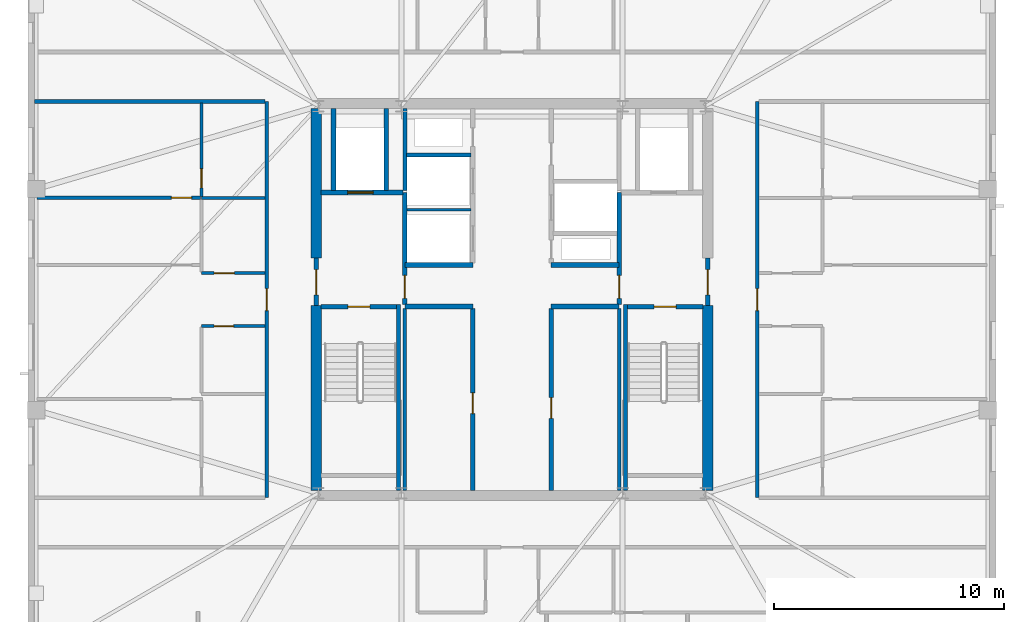
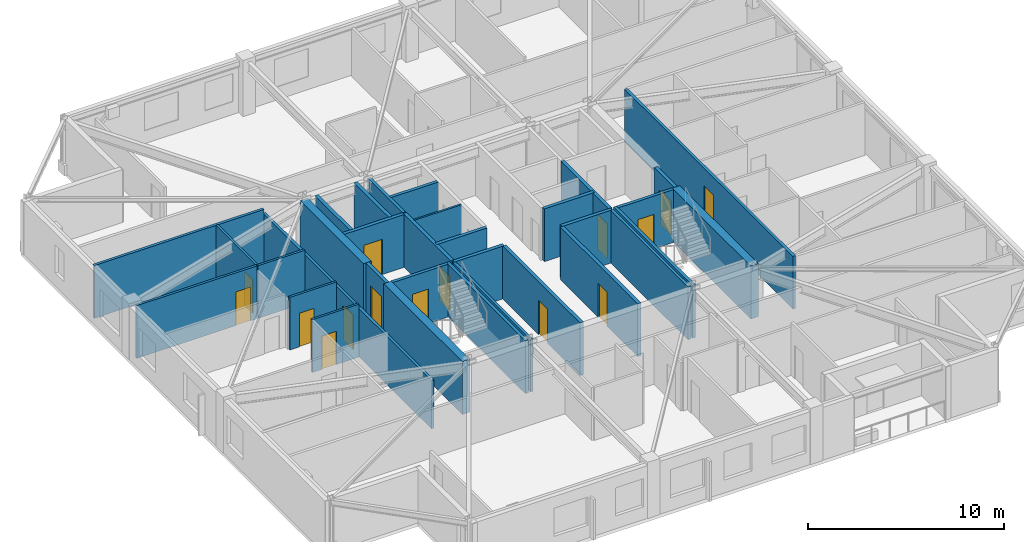
# One storey, part 8 of 15: 33 walls, 15 doors, 15 openings.
"""IFC4 building model written with IfcOpenShell, lengths in metres."""

from ifc_helpers import new_model, si_unit, direction, frame, frame_2d, origin, place, context, subcontext, project, spatial, rectangle, extrude, material, layer, layer_set, type_object, element, fill, save


model = new_model("IFC4")

# Units and contexts
model_context = context("Model", 3, precision=1e-05, world=origin(), true_north=direction((0.0, 1.0)))
body_context = subcontext(model_context, "Body", "Model", "MODEL_VIEW")
ifc_project = project(units=[si_unit("LENGTHUNIT", "METRE"), si_unit("AREAUNIT", "SQUARE_METRE"), si_unit("VOLUMEUNIT", "CUBIC_METRE"), si_unit("PLANEANGLEUNIT", "RADIAN"), si_unit("MASSUNIT", "GRAM", prefix="KILO")], contexts=[model_context])

# Site, building, storey
site_placement = place(None, origin())
site = spatial("IfcSite", under=ifc_project, at=site_placement, CompositionType="ELEMENT")
building_placement = place(site_placement, origin())
building = spatial("IfcBuilding", under=site, at=building_placement, Name="Cairnveth Concourse Tower", CompositionType="ELEMENT")
storey_placement = place(building_placement, frame((0.0, 0.0, 287.5)))
storey = spatial("IfcBuildingStorey", under=building, at=storey_placement, Name="L79", CompositionType="ELEMENT", Elevation=287.5)

# Walls
ifc_material_1 = material(Name="Gypsum Plasterboard Partition", Category="gypsum")
ifc_layer_1 = layer(ifc_material_1, 0.159912109375)
ifc_layer_set_1 = layer_set([ifc_layer_1], Name="Gypsum Plasterboard Partition")
wall_type_1 = type_object("IfcWallType", Name="ACOUSTIC PARTY WALL 180", PredefinedType="PARTITIONING", material=ifc_layer_set_1)
for number, where, z_axis, x_axis, name in (
    (1, (47.35009765625, 30.7099609375, 0.0), (0.0, 0.0, 1.0), (0.0, 1.0, 0.0), "Interior Wall IW-L79-025"),
    (2, (56.64990234375, 30.7099609375, 0.0), (0.0, 0.0, 1.0), (0.0, 1.0, 0.0), "Interior Wall IW-L79-026"),
):
    element("IfcWall", number, at=place(storey_placement, frame(where, z_axis=z_axis, x_axis=x_axis)), inside=storey, type_object=wall_type_1, Name=name, PredefinedType="PARTITIONING", context=body_context, shape_type="SweptSolid", body=[
        extrude(rectangle(XDim=7.905029296875, YDim=0.159912109375, at=frame_2d((3.95263671875, 0.0))), origin(), (0.0, 0.0, 1.0), 3.2900390625),
    ])

# Wall, opening, door
wall_1_placement = place(storey_placement, frame((41.35009765625, 30.39990234375, 0.0), z_axis=(0.0, 0.0, 1.0), x_axis=(0.0, 1.0, 0.0)))
wall_1 = element("IfcWall", 3, at=wall_1_placement, inside=storey, type_object=wall_type_1, Name="Interior Wall IW-L79-035", PredefinedType="PARTITIONING", context=body_context, shape_type="SweptSolid", body=[
    extrude(rectangle(XDim=17.2001953125, YDim=0.159912109375, at=frame_2d((8.60009765625, 0.0))), origin(), (0.0, 0.0, 1.0), 3.009033203125),
])
opening_1_placement = place(wall_1_placement, frame((8.1201171875, 0.0, 0.0)))
opening_1 = element("IfcOpeningElement", 4, at=opening_1_placement, cuts=wall_1, Name="Opening ID10", PredefinedType="OPENING", context=body_context, shape_type="SweptSolid", body=[
    extrude(rectangle(XDim=0.9599609375, YDim=2.179931640625, at=frame_2d((0.47998046875, 1.08984375))), frame((0.0, 0.08984375, 0.0), z_axis=(0.0, -1.0, 0.0), x_axis=(1.0, 0.0, 0.0)), (0.0, 0.0, 1.0), 0.179931640625),
])
ifc_material_2 = material(Name="Solid Core Hardwood Timber Leaf", Category="wood")
door_type_1 = type_object("IfcDoorType", Name="FLAT ENTRANCE DOOR 960X2150", OperationType="NOTDEFINED", PredefinedType="DOOR", material=ifc_material_2)
door_1_placement = place(opening_1_placement, origin())
door_1 = element("IfcDoor", 5, at=door_1_placement, inside=storey, type_object=door_type_1, Name="Penthouse L79PW1 Entrance Door", OperationType="SINGLE_SWING_RIGHT", OverallHeight=2.179931640625, OverallWidth=0.9599609375, PredefinedType="DOOR", context=body_context, shape_type="SweptSolid", body=[
    extrude(rectangle(XDim=0.9599609375, YDim=2.179931640625, at=frame_2d((0.47998046875, 1.08984375))), frame((0.0, 0.02490234375, 0.0), z_axis=(0.0, -1.0, 0.0), x_axis=(1.0, 0.0, 0.0)), (0.0, 0.0, 1.0), 0.050048828125),
])
fill(opening_1, door_1)

wall_2_placement = place(storey_placement, frame((62.64990234375, 30.39990234375, 0.0), z_axis=(0.0, 0.0, 1.0), x_axis=(0.0, 1.0, 0.0)))
wall_2 = element("IfcWall", 6, at=wall_2_placement, inside=storey, type_object=wall_type_1, Name="Interior Wall IW-L79-036", PredefinedType="PARTITIONING", context=body_context, shape_type="SweptSolid", body=[
    extrude(rectangle(XDim=17.2001953125, YDim=0.159912109375, at=frame_2d((8.60009765625, 0.0))), origin(), (0.0, 0.0, 1.0), 3.2900390625),
])
opening_2_placement = place(wall_2_placement, frame((8.1201171875, 0.0, 0.0)))
opening_2 = element("IfcOpeningElement", 7, at=opening_2_placement, cuts=wall_2, Name="Opening ID10", PredefinedType="OPENING", context=body_context, shape_type="SweptSolid", body=[
    extrude(rectangle(XDim=0.9599609375, YDim=2.179931640625, at=frame_2d((0.47998046875, 1.08984375))), frame((0.0, 0.08984375, 0.0), z_axis=(0.0, -1.0, 0.0), x_axis=(1.0, 0.0, 0.0)), (0.0, 0.0, 1.0), 0.179931640625),
])
door_2_placement = place(opening_2_placement, origin())
door_2 = element("IfcDoor", 8, at=door_2_placement, inside=storey, type_object=door_type_1, Name="Penthouse L79PE1 Entrance Door", OperationType="SINGLE_SWING_RIGHT", OverallHeight=2.179931640625, OverallWidth=0.9599609375, PredefinedType="DOOR", context=body_context, shape_type="SweptSolid", body=[
    extrude(rectangle(XDim=0.9599609375, YDim=2.179931640625, at=frame_2d((0.47998046875, 1.08984375))), frame((0.0, 0.02490234375, 0.0), z_axis=(0.0, -1.0, 0.0), x_axis=(1.0, 0.0, 0.0)), (0.0, 0.0, 1.0), 0.050048828125),
])
fill(opening_2, door_2)

# Walls
wall_3_placement = place(storey_placement, frame((31.284912109375, 47.60009765625, 0.0), z_axis=(0.0, 0.0, 1.0), x_axis=(1.0, 0.0, 0.0)))
element("IfcWall", 9, at=wall_3_placement, inside=storey, type_object=wall_type_1, Name="Interior Wall IW-L79-038", PredefinedType="PARTITIONING", context=body_context, shape_type="SweptSolid", body=[
    extrude(rectangle(XDim=10.0, YDim=0.159912109375, at=frame_2d((5.0, 0.0))), origin(), (0.0, 0.0, 1.0), 3.2900390625),
])
ifc_material_3 = material(Name="Concrete N65 (65 MPa)", Category="concrete")
ifc_layer_2 = layer(ifc_material_3, 0.449951171875)
ifc_layer_set_2 = layer_set([ifc_layer_2], Name="Concrete N65 (65 MPa)")
wall_type_2 = type_object("IfcWallType", Name="CORE SHEAR WALL 450", PredefinedType="SHEAR", material=ifc_layer_set_2)
wall_4_placement = place(storey_placement, frame((43.5, 30.715087890625, 0.0), z_axis=(0.0, 0.0, 1.0), x_axis=(0.0, 1.0, 0.0)))
element("IfcWall", 10, at=wall_4_placement, inside=storey, type_object=wall_type_2, Name="Core West Shear Wall S L79", PredefinedType="SHEAR", context=body_context, shape_type="SweptSolid", body=[
    extrude(rectangle(XDim=8.034912109375, YDim=0.449951171875, at=frame_2d((4.017578125, 0.0))), origin(), (0.0, 0.0, 1.0), 3.2900390625),
])
wall_5_placement = place(storey_placement, frame((43.5, 40.800048828125, 0.0), z_axis=(0.0, 0.0, 1.0), x_axis=(0.0, 1.0, 0.0)))
element("IfcWall", 11, at=wall_5_placement, inside=storey, type_object=wall_type_2, Name="Core West Shear Wall N L79", PredefinedType="SHEAR", context=body_context, shape_type="SweptSolid", body=[
    extrude(rectangle(XDim=6.48486328125, YDim=0.449951171875, at=frame_2d((3.242431640625, 0.0))), origin(), (0.0, 0.0, 1.0), 3.2900390625),
])
wall_6_placement = place(storey_placement, frame((60.5, 30.715087890625, 0.0), z_axis=(0.0, 0.0, 1.0), x_axis=(0.0, 1.0, 0.0)))
element("IfcWall", 12, at=wall_6_placement, inside=storey, type_object=wall_type_2, Name="Core East Shear Wall S L79", PredefinedType="SHEAR", context=body_context, shape_type="SweptSolid", body=[
    extrude(rectangle(XDim=8.034912109375, YDim=0.449951171875, at=frame_2d((4.017578125, 0.0))), origin(), (0.0, 0.0, 1.0), 3.2900390625),
])
ifc_material_4 = material(Name="Concrete N50 (50 MPa)", Category="concrete")
ifc_layer_3 = layer(ifc_material_4, 0.179931640625)
ifc_layer_set_3 = layer_set([ifc_layer_3], Name="Concrete N50 (50 MPa)")
wall_type_3 = type_object("IfcWallType", Name="FIRE SHAFT WALL 180", PredefinedType="SOLIDWALL", material=ifc_layer_set_3)
wall_7_placement = place(storey_placement, frame((47.35009765625, 43.735107421875, 0.0), z_axis=(0.0, 0.0, 1.0), x_axis=(0.0, 1.0, 0.0)))
element("IfcWall", 13, at=wall_7_placement, inside=storey, type_object=wall_type_3, Name="Interior Wall IW-L79-027", PredefinedType="SOLIDWALL", context=body_context, shape_type="SweptSolid", body=[
    extrude(rectangle(XDim=3.554931640625, YDim=0.179931640625, at=frame_2d((1.77734375, 0.0))), origin(), (0.0, 0.0, 1.0), 3.2900390625),
])
wall_8_placement = place(storey_placement, frame((47.425048828125, 45.280029296875, 0.0), z_axis=(0.0, 0.0, 1.0), x_axis=(1.0, 0.0, 0.0)))
element("IfcWall", 14, at=wall_8_placement, inside=storey, type_object=wall_type_3, Name="Interior Wall IW-L79-029", PredefinedType="SOLIDWALL", context=body_context, shape_type="SweptSolid", body=[
    extrude(rectangle(XDim=2.7900390625, YDim=0.179931640625, at=frame_2d((1.39501953125, 0.0))), origin(), (0.0, 0.0, 1.0), 3.2900390625),
])

# Wall, opening, door
wall_9_placement = place(storey_placement, frame((43.715087890625, 38.68994140625, 0.0), z_axis=(0.0, 0.0, 1.0), x_axis=(1.0, 0.0, 0.0)))
wall_9 = element("IfcWall", 15, at=wall_9_placement, inside=storey, type_object=wall_type_3, Name="Stair ST-1 Shaft Wall NEAR L79", PredefinedType="SOLIDWALL", context=body_context, shape_type="SweptSolid", body=[
    extrude(rectangle(XDim=3.280029296875, YDim=0.179931640625, at=frame_2d((1.64013671875, 0.0))), origin(), (0.0, 0.0, 1.0), 3.2900390625),
])
opening_3_placement = place(wall_9_placement, frame((1.1650390625, 0.0, 0.0)))
opening_3 = element("IfcOpeningElement", 16, at=opening_3_placement, cuts=wall_9, Name="Opening ID12", PredefinedType="OPENING", context=body_context, shape_type="SweptSolid", body=[
    extrude(rectangle(XDim=0.949951171875, YDim=2.14990234375, at=frame_2d((0.47509765625, 1.074951171875))), frame((0.0, 0.099853515625, 0.0), z_axis=(0.0, -1.0, 0.0), x_axis=(1.0, 0.0, 0.0)), (0.0, 0.0, 1.0), 0.199951171875),
])
ifc_material_5 = material(Name="Steel Grade 350", Category="steel")
door_type_2 = type_object("IfcDoorType", Name="FIRE STAIR DOOR 950X2150", OperationType="NOTDEFINED", PredefinedType="DOOR", material=ifc_material_5)
door_3_placement = place(opening_3_placement, origin())
door_3 = element("IfcDoor", 17, at=door_3_placement, inside=storey, type_object=door_type_2, Name="Stair ST-1 Fire Door L79", OperationType="SINGLE_SWING_LEFT", OverallHeight=2.14990234375, OverallWidth=0.949951171875, PredefinedType="DOOR", context=body_context, shape_type="SweptSolid", body=[
    extrude(rectangle(XDim=0.949951171875, YDim=2.14990234375, at=frame_2d((0.47509765625, 1.074951171875))), frame((0.0, 0.02490234375, 0.0), z_axis=(0.0, -1.0, 0.0), x_axis=(1.0, 0.0, 0.0)), (0.0, 0.0, 1.0), 0.050048828125),
])
fill(opening_3, door_3)

# Wall
wall_10_placement = place(storey_placement, frame((47.070068359375, 38.780029296875, 0.0), z_axis=(0.0, 0.0, 1.0), x_axis=(0.0, -1.0, 0.0)))
element("IfcWall", 18, at=wall_10_placement, inside=storey, type_object=wall_type_3, Name="Stair ST-1 Shaft Wall RGHT L79", PredefinedType="SOLIDWALL", context=body_context, shape_type="SweptSolid", body=[
    extrude(rectangle(XDim=8.067138671875, YDim=0.179931640625, at=frame_2d((4.03369140625, 0.0))), origin(), (0.0, 0.0, 1.0), 3.2900390625),
])

# Wall, opening, door
wall_11_placement = place(storey_placement, frame((57.0048828125, 38.68994140625, 0.0), z_axis=(0.0, 0.0, 1.0), x_axis=(1.0, 0.0, 0.0)))
wall_11 = element("IfcWall", 19, at=wall_11_placement, inside=storey, type_object=wall_type_3, Name="Stair ST-2 Shaft Wall NEAR L79", PredefinedType="SOLIDWALL", context=body_context, shape_type="SweptSolid", body=[
    extrude(rectangle(XDim=3.280029296875, YDim=0.179931640625, at=frame_2d((1.64013671875, 0.0))), origin(), (0.0, 0.0, 1.0), 3.2900390625),
])
opening_4_placement = place(wall_11_placement, frame((1.1650390625, 0.0, 0.0)))
opening_4 = element("IfcOpeningElement", 20, at=opening_4_placement, cuts=wall_11, Name="Opening ID12", PredefinedType="OPENING", context=body_context, shape_type="SweptSolid", body=[
    extrude(rectangle(XDim=0.949951171875, YDim=2.14990234375, at=frame_2d((0.47509765625, 1.074951171875))), frame((0.0, 0.099853515625, 0.0), z_axis=(0.0, -1.0, 0.0), x_axis=(1.0, 0.0, 0.0)), (0.0, 0.0, 1.0), 0.199951171875),
])
door_4_placement = place(opening_4_placement, origin())
door_4 = element("IfcDoor", 21, at=door_4_placement, inside=storey, type_object=door_type_2, Name="Stair ST-2 Fire Door L79", OperationType="SINGLE_SWING_RIGHT", OverallHeight=2.14990234375, OverallWidth=0.949951171875, PredefinedType="DOOR", context=body_context, shape_type="SweptSolid", body=[
    extrude(rectangle(XDim=0.949951171875, YDim=2.14990234375, at=frame_2d((0.47509765625, 1.074951171875))), frame((0.0, 0.02490234375, 0.0), z_axis=(0.0, -1.0, 0.0), x_axis=(1.0, 0.0, 0.0)), (0.0, 0.0, 1.0), 0.050048828125),
])
fill(opening_4, door_4)

# Walls
wall_12_placement = place(storey_placement, frame((56.929931640625, 38.780029296875, 0.0), z_axis=(0.0, 0.0, 1.0), x_axis=(0.0, -1.0, 0.0)))
element("IfcWall", 22, at=wall_12_placement, inside=storey, type_object=wall_type_3, Name="Stair ST-2 Shaft Wall LEFT L79", PredefinedType="SOLIDWALL", context=body_context, shape_type="SweptSolid", body=[
    extrude(rectangle(XDim=8.067138671875, YDim=0.179931640625, at=frame_2d((4.03369140625, 0.0))), origin(), (0.0, 0.0, 1.0), 3.2900390625),
])
ifc_layer_4 = layer(ifc_material_4, 0.199951171875)
ifc_layer_set_4 = layer_set([ifc_layer_4], Name="Concrete N50 (50 MPa)")
wall_type_4 = type_object("IfcWallType", Name="FIRE SHAFT WALL 200", PredefinedType="SOLIDWALL", material=ifc_layer_set_4)
for number, where, z_axis, x_axis, name in (
    (23, (47.35009765625, 38.699951171875, 0.0), (0.0, 0.0, 1.0), (1.0, 0.0, 0.0), "Interior Wall IW-L79-007"),
    (24, (47.35009765625, 40.5, 0.0), (0.0, 0.0, 1.0), (1.0, 0.0, 0.0), "Interior Wall IW-L79-008"),
    (25, (53.699951171875, 38.699951171875, 0.0), (0.0, 0.0, 1.0), (1.0, 0.0, 0.0), "Interior Wall IW-L79-009"),
    (26, (53.699951171875, 40.5, 0.0), (0.0, 0.0, 1.0), (1.0, 0.0, 0.0), "Interior Wall IW-L79-010"),
):
    element("IfcWall", number, at=place(storey_placement, frame(where, z_axis=z_axis, x_axis=x_axis)), inside=storey, type_object=wall_type_4, Name=name, PredefinedType="SOLIDWALL", context=body_context, shape_type="SweptSolid", body=[
        extrude(rectangle(XDim=2.949951171875, YDim=0.199951171875, at=frame_2d((1.47509765625, 0.0))), origin(), (0.0, 0.0, 1.0), 3.2900390625),
    ])

# Wall, opening, door
wall_13_placement = place(storey_placement, frame((50.300048828125, 30.7099609375, 0.0), z_axis=(0.0, 0.0, 1.0), x_axis=(0.0, 1.0, 0.0)))
wall_13 = element("IfcWall", 27, at=wall_13_placement, inside=storey, type_object=wall_type_4, Name="Interior Wall IW-L79-011", PredefinedType="SOLIDWALL", context=body_context, shape_type="SweptSolid", body=[
    extrude(rectangle(XDim=7.905029296875, YDim=0.199951171875, at=frame_2d((3.95263671875, 0.0))), origin(), (0.0, 0.0, 1.0), 3.2900390625),
])
opening_5_placement = place(wall_13_placement, frame((3.340087890625, 0.0, 0.0)))
opening_5 = element("IfcOpeningElement", 28, at=opening_5_placement, cuts=wall_13, Name="Opening ID16", PredefinedType="OPENING", context=body_context, shape_type="SweptSolid", body=[
    extrude(rectangle(XDim=0.89990234375, YDim=2.1201171875, at=frame_2d((0.449951171875, 1.06005859375))), frame((0.0, 0.10986328125, 0.0), z_axis=(0.0, -1.0, 0.0), x_axis=(1.0, 0.0, 0.0)), (0.0, 0.0, 1.0), 0.219970703125),
])
door_type_3 = type_object("IfcDoorType", Name="CORE SERVICE DOOR 900X2100", OperationType="NOTDEFINED", PredefinedType="DOOR", material=ifc_material_5)
door_5_placement = place(opening_5_placement, origin())
door_5 = element("IfcDoor", 29, at=door_5_placement, inside=storey, type_object=door_type_3, Name="Linen Pantry Suite Door L79", OperationType="SINGLE_SWING_LEFT", OverallHeight=2.1201171875, OverallWidth=0.89990234375, PredefinedType="DOOR", context=body_context, shape_type="SweptSolid", body=[
    extrude(rectangle(XDim=0.89990234375, YDim=2.1201171875, at=frame_2d((0.449951171875, 1.06005859375))), frame((0.0, 0.02490234375, 0.0), z_axis=(0.0, -1.0, 0.0), x_axis=(1.0, 0.0, 0.0)), (0.0, 0.0, 1.0), 0.050048828125),
])
fill(opening_5, door_5)

wall_14_placement = place(storey_placement, frame((53.699951171875, 30.7099609375, 0.0), z_axis=(0.0, 0.0, 1.0), x_axis=(0.0, 1.0, 0.0)))
wall_14 = element("IfcWall", 30, at=wall_14_placement, inside=storey, type_object=wall_type_4, Name="Interior Wall IW-L79-012", PredefinedType="SOLIDWALL", context=body_context, shape_type="SweptSolid", body=[
    extrude(rectangle(XDim=7.905029296875, YDim=0.199951171875, at=frame_2d((3.95263671875, 0.0))), origin(), (0.0, 0.0, 1.0), 3.2900390625),
])
opening_6_placement = place(wall_14_placement, frame((3.139892578125, 0.0, 0.0)))
opening_6 = element("IfcOpeningElement", 31, at=opening_6_placement, cuts=wall_14, Name="Opening ID16", PredefinedType="OPENING", context=body_context, shape_type="SweptSolid", body=[
    extrude(rectangle(XDim=0.89990234375, YDim=2.1201171875, at=frame_2d((0.449951171875, 1.06005859375))), frame((0.0, 0.10986328125, 0.0), z_axis=(0.0, -1.0, 0.0), x_axis=(1.0, 0.0, 0.0)), (0.0, 0.0, 1.0), 0.219970703125),
])
door_6_placement = place(opening_6_placement, origin())
door_6 = element("IfcDoor", 32, at=door_6_placement, inside=storey, type_object=door_type_3, Name="Sky Pantry Door L79", OperationType="SINGLE_SWING_RIGHT", OverallHeight=2.1201171875, OverallWidth=0.89990234375, PredefinedType="DOOR", context=body_context, shape_type="SweptSolid", body=[
    extrude(rectangle(XDim=0.89990234375, YDim=2.1201171875, at=frame_2d((0.449951171875, 1.06005859375))), frame((0.0, 0.02490234375, 0.0), z_axis=(0.0, -1.0, 0.0), x_axis=(1.0, 0.0, 0.0)), (0.0, 0.0, 1.0), 0.050048828125),
])
fill(opening_6, door_6)

wall_15_placement = place(storey_placement, frame((43.5, 38.75, 0.0), z_axis=(0.0, 0.0, 1.0), x_axis=(0.0, 1.0, 0.0)))
wall_15 = element("IfcWall", 33, at=wall_15_placement, inside=storey, type_object=wall_type_4, Name="Interior Wall IW-L79-015", PredefinedType="SOLIDWALL", context=body_context, shape_type="SweptSolid", body=[
    extrude(rectangle(XDim=2.050048828125, YDim=0.199951171875, at=frame_2d((1.02490234375, 0.0))), origin(), (0.0, 0.0, 1.0), 3.2900390625),
])
opening_7_placement = place(wall_15_placement, frame((0.449951171875, 0.0, 0.0)))
opening_7 = element("IfcOpeningElement", 34, at=opening_7_placement, cuts=wall_15, Name="Opening ID06", PredefinedType="OPENING", context=body_context, shape_type="SweptSolid", body=[
    extrude(rectangle(XDim=1.10009765625, YDim=2.14990234375, at=frame_2d((0.550048828125, 1.074951171875))), frame((0.0, 0.10986328125, 0.0), z_axis=(0.0, -1.0, 0.0), x_axis=(1.0, 0.0, 0.0)), (0.0, 0.0, 1.0), 0.219970703125),
])
door_type_4 = type_object("IfcDoorType", Name="FIRE CORRIDOR DOOR 1100X2150", OperationType="NOTDEFINED", PredefinedType="DOOR", material=ifc_material_5)
door_7_placement = place(opening_7_placement, origin())
door_7 = element("IfcDoor", 35, at=door_7_placement, inside=storey, type_object=door_type_4, Name="West Wing to FF Lobby Door L79", OperationType="SINGLE_SWING_LEFT", OverallHeight=2.14990234375, OverallWidth=1.10009765625, PredefinedType="DOOR", context=body_context, shape_type="SweptSolid", body=[
    extrude(rectangle(XDim=1.10009765625, YDim=2.14990234375, at=frame_2d((0.550048828125, 1.074951171875))), frame((0.0, 0.02490234375, 0.0), z_axis=(0.0, -1.0, 0.0), x_axis=(1.0, 0.0, 0.0)), (0.0, 0.0, 1.0), 0.050048828125),
])
fill(opening_7, door_7)

wall_16_placement = place(storey_placement, frame((47.35009765625, 38.784912109375, 0.0), z_axis=(0.0, 0.0, 1.0), x_axis=(0.0, 1.0, 0.0)))
wall_16 = element("IfcWall", 36, at=wall_16_placement, inside=storey, type_object=wall_type_4, Name="Interior Wall IW-L79-016", PredefinedType="SOLIDWALL", context=body_context, shape_type="SweptSolid", body=[
    extrude(rectangle(XDim=4.864990234375, YDim=0.199951171875, at=frame_2d((2.4326171875, 0.0))), origin(), (0.0, 0.0, 1.0), 3.2900390625),
])
opening_8_placement = place(wall_16_placement, frame((0.264892578125, 0.0, 0.0)))
opening_8 = element("IfcOpeningElement", 37, at=opening_8_placement, cuts=wall_16, Name="Opening ID07", PredefinedType="OPENING", context=body_context, shape_type="SweptSolid", body=[
    extrude(rectangle(XDim=1.0, YDim=2.14990234375, at=frame_2d((0.5, 1.074951171875))), frame((0.0, 0.10986328125, 0.0), z_axis=(0.0, -1.0, 0.0), x_axis=(1.0, 0.0, 0.0)), (0.0, 0.0, 1.0), 0.219970703125),
])
door_type_5 = type_object("IfcDoorType", Name="FIRE CORRIDOR DOOR 1000X2150", OperationType="NOTDEFINED", PredefinedType="DOOR", material=ifc_material_5)
door_8_placement = place(opening_8_placement, origin())
door_8 = element("IfcDoor", 38, at=door_8_placement, inside=storey, type_object=door_type_5, Name="FF Lobby West to Lift Lobby Door L79", OperationType="SINGLE_SWING_RIGHT", OverallHeight=2.14990234375, OverallWidth=1.0, PredefinedType="DOOR", context=body_context, shape_type="SweptSolid", body=[
    extrude(rectangle(XDim=1.0, YDim=2.14990234375, at=frame_2d((0.5, 1.074951171875))), frame((0.0, 0.02490234375, 0.0), z_axis=(0.0, -1.0, 0.0), x_axis=(1.0, 0.0, 0.0)), (0.0, 0.0, 1.0), 0.050048828125),
])
fill(opening_8, door_8)

wall_17_placement = place(storey_placement, frame((43.7099609375, 43.64990234375, 0.0), z_axis=(0.0, 0.0, 1.0), x_axis=(1.0, 0.0, 0.0)))
wall_17 = element("IfcWall", 39, at=wall_17_placement, inside=storey, type_object=wall_type_4, Name="Interior Wall IW-L79-017", PredefinedType="SOLIDWALL", context=body_context, shape_type="SweptSolid", body=[
    extrude(rectangle(XDim=3.554931640625, YDim=0.199951171875, at=frame_2d((1.77734375, 0.0))), origin(), (0.0, 0.0, 1.0), 3.2900390625),
])
opening_9_placement = place(wall_17_placement, frame((1.159912109375, 0.0, 0.0)))
opening_9 = element("IfcOpeningElement", 40, at=opening_9_placement, cuts=wall_17, Name="Opening LD-1", PredefinedType="OPENING", context=body_context, shape_type="SweptSolid", body=[
    extrude(rectangle(XDim=1.10009765625, YDim=2.199951171875, at=frame_2d((0.550048828125, 1.10009765625))), frame((0.0, 0.10986328125, 0.0), z_axis=(0.0, -1.0, 0.0), x_axis=(1.0, 0.0, 0.0)), (0.0, 0.0, 1.0), 0.219970703125),
])
ifc_material_6 = material(Name="Architectural Bronze Anodised Aluminium 6063-T6", Category="aluminium")
door_type_6 = type_object("IfcDoorType", Name="LIFT LANDING DOOR 1100X2200", OperationType="SLIDING_TO_LEFT", PredefinedType="DOOR", material=ifc_material_6)
door_9_placement = place(opening_9_placement, origin())
door_9 = element("IfcDoor", 41, at=door_9_placement, inside=storey, type_object=door_type_6, Name="Lift FFL1 Landing Door L79", OperationType="SLIDING_TO_LEFT", OverallHeight=2.199951171875, OverallWidth=1.10009765625, PredefinedType="DOOR", context=body_context, shape_type="SweptSolid", body=[
    extrude(rectangle(XDim=1.10009765625, YDim=2.199951171875, at=frame_2d((0.550048828125, 1.10009765625))), frame((0.0, 0.02490234375, 0.0), z_axis=(0.0, -1.0, 0.0), x_axis=(1.0, 0.0, 0.0)), (0.0, 0.0, 1.0), 0.050048828125),
])
fill(opening_9, door_9)

# Walls
for number, where, z_axis, x_axis, name in (
    (42, (46.550048828125, 43.735107421875, 0.0), (0.0, 0.0, 1.0), (0.0, 1.0, 0.0), "Interior Wall IW-L79-018"),
    (43, (44.25, 43.735107421875, 0.0), (0.0, 0.0, 1.0), (0.0, 1.0, 0.0), "Interior Wall IW-L79-019"),
):
    element("IfcWall", number, at=place(storey_placement, frame(where, z_axis=z_axis, x_axis=x_axis)), inside=storey, type_object=wall_type_4, Name=name, PredefinedType="SOLIDWALL", context=body_context, shape_type="SweptSolid", body=[
        extrude(rectangle(XDim=3.554931640625, YDim=0.199951171875, at=frame_2d((1.77734375, 0.0))), origin(), (0.0, 0.0, 1.0), 3.2900390625),
    ])

# Wall, opening, door
wall_18_placement = place(storey_placement, frame((60.5, 38.75, 0.0), z_axis=(0.0, 0.0, 1.0), x_axis=(0.0, 1.0, 0.0)))
wall_18 = element("IfcWall", 44, at=wall_18_placement, inside=storey, type_object=wall_type_4, Name="Interior Wall IW-L79-020", PredefinedType="SOLIDWALL", context=body_context, shape_type="SweptSolid", body=[
    extrude(rectangle(XDim=2.050048828125, YDim=0.199951171875, at=frame_2d((1.02490234375, 0.0))), origin(), (0.0, 0.0, 1.0), 3.2900390625),
])
opening_10_placement = place(wall_18_placement, frame((0.449951171875, 0.0, 0.0)))
opening_10 = element("IfcOpeningElement", 45, at=opening_10_placement, cuts=wall_18, Name="Opening ID06", PredefinedType="OPENING", context=body_context, shape_type="SweptSolid", body=[
    extrude(rectangle(XDim=1.10009765625, YDim=2.14990234375, at=frame_2d((0.550048828125, 1.074951171875))), frame((0.0, 0.10986328125, 0.0), z_axis=(0.0, -1.0, 0.0), x_axis=(1.0, 0.0, 0.0)), (0.0, 0.0, 1.0), 0.219970703125),
])
door_10_placement = place(opening_10_placement, origin())
door_10 = element("IfcDoor", 46, at=door_10_placement, inside=storey, type_object=door_type_4, Name="East Wing to FF Lobby Door L79", OperationType="SINGLE_SWING_RIGHT", OverallHeight=2.14990234375, OverallWidth=1.10009765625, PredefinedType="DOOR", context=body_context, shape_type="SweptSolid", body=[
    extrude(rectangle(XDim=1.10009765625, YDim=2.14990234375, at=frame_2d((0.550048828125, 1.074951171875))), frame((0.0, 0.02490234375, 0.0), z_axis=(0.0, -1.0, 0.0), x_axis=(1.0, 0.0, 0.0)), (0.0, 0.0, 1.0), 0.050048828125),
])
fill(opening_10, door_10)

wall_19_placement = place(storey_placement, frame((56.64990234375, 38.784912109375, 0.0), z_axis=(0.0, 0.0, 1.0), x_axis=(0.0, 1.0, 0.0)))
wall_19 = element("IfcWall", 47, at=wall_19_placement, inside=storey, type_object=wall_type_4, Name="Interior Wall IW-L79-021", PredefinedType="SOLIDWALL", context=body_context, shape_type="SweptSolid", body=[
    extrude(rectangle(XDim=4.864990234375, YDim=0.199951171875, at=frame_2d((2.4326171875, 0.0))), origin(), (0.0, 0.0, 1.0), 3.2900390625),
])
opening_11_placement = place(wall_19_placement, frame((0.264892578125, 0.0, 0.0)))
opening_11 = element("IfcOpeningElement", 48, at=opening_11_placement, cuts=wall_19, Name="Opening ID07", PredefinedType="OPENING", context=body_context, shape_type="SweptSolid", body=[
    extrude(rectangle(XDim=1.0, YDim=2.14990234375, at=frame_2d((0.5, 1.074951171875))), frame((0.0, 0.10986328125, 0.0), z_axis=(0.0, -1.0, 0.0), x_axis=(1.0, 0.0, 0.0)), (0.0, 0.0, 1.0), 0.219970703125),
])
door_11_placement = place(opening_11_placement, origin())
door_11 = element("IfcDoor", 49, at=door_11_placement, inside=storey, type_object=door_type_5, Name="FF Lobby East to Lift Lobby Door L79", OperationType="SINGLE_SWING_LEFT", OverallHeight=2.14990234375, OverallWidth=1.0, PredefinedType="DOOR", context=body_context, shape_type="SweptSolid", body=[
    extrude(rectangle(XDim=1.0, YDim=2.14990234375, at=frame_2d((0.5, 1.074951171875))), frame((0.0, 0.02490234375, 0.0), z_axis=(0.0, -1.0, 0.0), x_axis=(1.0, 0.0, 0.0)), (0.0, 0.0, 1.0), 0.050048828125),
])
fill(opening_11, door_11)

ifc_layer_5 = layer(ifc_material_1, 0.139892578125)
ifc_layer_set_5 = layer_set([ifc_layer_5], Name="Gypsum Plasterboard Partition")
wall_type_5 = type_object("IfcWallType", Name="GYPSUM STUD PARTITION 140", PredefinedType="PARTITIONING", material=ifc_layer_set_5)
wall_20_placement = place(storey_placement, frame((31.3798828125, 43.419921875, 0.0), z_axis=(0.0, 0.0, 1.0), x_axis=(1.0, 0.0, 0.0)))
wall_20 = element("IfcWall", 50, at=wall_20_placement, inside=storey, type_object=wall_type_5, Name="Interior Wall IW-L79-071", PredefinedType="PARTITIONING", context=body_context, shape_type="SweptSolid", body=[
    extrude(rectangle(XDim=7.090087890625, YDim=0.139892578125, at=frame_2d((3.544921875, 0.0))), origin(), (0.0, 0.0, 1.0), 3.2900390625),
])
opening_12_placement = place(wall_20_placement, frame((5.830078125, 0.0, 0.0)))
opening_12 = element("IfcOpeningElement", 51, at=opening_12_placement, cuts=wall_20, Name="Opening ID18", PredefinedType="OPENING", context=body_context, shape_type="SweptSolid", body=[
    extrude(rectangle(XDim=0.8798828125, YDim=2.10009765625, at=frame_2d((0.43994140625, 1.050048828125))), frame((0.0, 0.079833984375, 0.0), z_axis=(0.0, -1.0, 0.0), x_axis=(1.0, 0.0, 0.0)), (0.0, 0.0, 1.0), 0.159912109375),
])
door_type_7 = type_object("IfcDoorType", Name="INTERIOR SINGLE DOOR 880X2100", OperationType="NOTDEFINED", PredefinedType="DOOR", material=ifc_material_2)
door_12_placement = place(opening_12_placement, origin())
door_12 = element("IfcDoor", 52, at=door_12_placement, inside=storey, type_object=door_type_7, Name="L79PW1 Bedroom 2 Door", OperationType="SINGLE_SWING_RIGHT", OverallHeight=2.10009765625, OverallWidth=0.8798828125, PredefinedType="DOOR", context=body_context, shape_type="SweptSolid", body=[
    extrude(rectangle(XDim=0.8798828125, YDim=2.10009765625, at=frame_2d((0.43994140625, 1.050048828125))), frame((0.0, 0.02490234375, 0.0), z_axis=(0.0, -1.0, 0.0), x_axis=(1.0, 0.0, 0.0)), (0.0, 0.0, 1.0), 0.050048828125),
])
fill(opening_12, door_12)

wall_21_placement = place(storey_placement, frame((38.52001953125, 43.47509765625, 0.0), z_axis=(0.0, 0.0, 1.0), x_axis=(0.0, 1.0, 0.0)))
wall_21 = element("IfcWall", 53, at=wall_21_placement, inside=storey, type_object=wall_type_5, Name="Interior Wall IW-L79-072", PredefinedType="PARTITIONING", context=body_context, shape_type="SweptSolid", body=[
    extrude(rectangle(XDim=4.059814453125, YDim=0.139892578125, at=frame_2d((2.02978515625, 0.0))), origin(), (0.0, 0.0, 1.0), 3.2900390625),
])
opening_13_placement = place(wall_21_placement, frame((0.375, 0.0, 0.0)))
opening_13 = element("IfcOpeningElement", 54, at=opening_13_placement, cuts=wall_21, Name="Opening ID22", PredefinedType="OPENING", context=body_context, shape_type="SweptSolid", body=[
    extrude(rectangle(XDim=0.820068359375, YDim=2.10009765625, at=frame_2d((0.41015625, 1.050048828125))), frame((0.0, 0.079833984375, 0.0), z_axis=(0.0, -1.0, 0.0), x_axis=(1.0, 0.0, 0.0)), (0.0, 0.0, 1.0), 0.159912109375),
])
door_type_8 = type_object("IfcDoorType", Name="INTERIOR WC DOOR 820X2100", OperationType="NOTDEFINED", PredefinedType="DOOR", material=ifc_material_2)
door_13_placement = place(opening_13_placement, origin())
door_13 = element("IfcDoor", 55, at=door_13_placement, inside=storey, type_object=door_type_8, Name="L79PW1 Utility Door", OperationType="SINGLE_SWING_LEFT", OverallHeight=2.10009765625, OverallWidth=0.820068359375, PredefinedType="DOOR", context=body_context, shape_type="SweptSolid", body=[
    extrude(rectangle(XDim=0.820068359375, YDim=2.10009765625, at=frame_2d((0.41015625, 1.050048828125))), frame((0.0, 0.02490234375, 0.0), z_axis=(0.0, -1.0, 0.0), x_axis=(1.0, 0.0, 0.0)), (0.0, 0.0, 1.0), 0.050048828125),
])
fill(opening_13, door_13)

# Wall
ifc_layer_6 = layer(ifc_material_1, 0.110107421875)
ifc_layer_set_6 = layer_set([ifc_layer_6], Name="Gypsum Plasterboard Partition")
wall_type_6 = type_object("IfcWallType", Name="SHAFT DIVIDER WALL 140", PredefinedType="PARTITIONING", material=ifc_layer_set_6)
wall_22_placement = place(storey_placement, frame((47.43505859375, 42.89990234375, 0.0), z_axis=(0.0, 0.0, 1.0), x_axis=(1.0, 0.0, 0.0)))
element("IfcWall", 56, at=wall_22_placement, inside=storey, type_object=wall_type_6, Name="Interior Wall IW-L79-028", PredefinedType="PARTITIONING", context=body_context, shape_type="SweptSolid", body=[
    extrude(rectangle(XDim=2.780029296875, YDim=0.110107421875, at=frame_2d((1.39013671875, 0.0))), origin(), (0.0, 0.0, 1.0), 3.2900390625),
])

# Wall, opening, door
ifc_layer_7 = layer(ifc_material_1, 0.1298828125)
ifc_layer_set_7 = layer_set([ifc_layer_7], Name="Gypsum Plasterboard Partition")
wall_type_7 = type_object("IfcWallType", Name="WET AREA PARTITION 140", PredefinedType="PLUMBINGWALL", material=ifc_layer_set_7)
wall_23_placement = place(storey_placement, frame((38.52001953125, 37.85009765625, 0.0), z_axis=(0.0, 0.0, 1.0), x_axis=(1.0, 0.0, 0.0)))
wall_23 = element("IfcWall", 57, at=wall_23_placement, inside=storey, type_object=wall_type_7, Name="Interior Wall IW-L79-064", PredefinedType="PLUMBINGWALL", context=body_context, shape_type="SweptSolid", body=[
    extrude(rectangle(XDim=2.75, YDim=0.1298828125, at=frame_2d((1.375, 0.0))), origin(), (0.0, 0.0, 1.0), 3.2900390625),
])
opening_14_placement = place(wall_23_placement, frame((0.550048828125, 0.0, 0.0)))
opening_14 = element("IfcOpeningElement", 58, at=opening_14_placement, cuts=wall_23, Name="Opening ID21", PredefinedType="OPENING", context=body_context, shape_type="SweptSolid", body=[
    extrude(rectangle(XDim=0.85009765625, YDim=2.080078125, at=frame_2d((0.425048828125, 1.0400390625))), frame((0.0, 0.074951171875, 0.0), z_axis=(0.0, -1.0, 0.0), x_axis=(1.0, 0.0, 0.0)), (0.0, 0.0, 1.0), 0.14990234375),
])
door_type_9 = type_object("IfcDoorType", Name="INTERIOR WC DOOR 850X2100", OperationType="NOTDEFINED", PredefinedType="DOOR", material=ifc_material_2)
door_14_placement = place(opening_14_placement, origin())
door_14 = element("IfcDoor", 59, at=door_14_placement, inside=storey, type_object=door_type_9, Name="L79PW1 Bathroom Door", OperationType="SINGLE_SWING_LEFT", OverallHeight=2.080078125, OverallWidth=0.85009765625, PredefinedType="DOOR", context=body_context, shape_type="SweptSolid", body=[
    extrude(rectangle(XDim=0.85009765625, YDim=2.080078125, at=frame_2d((0.425048828125, 1.0400390625))), frame((0.0, 0.02490234375, 0.0), z_axis=(0.0, -1.0, 0.0), x_axis=(1.0, 0.0, 0.0)), (0.0, 0.0, 1.0), 0.050048828125),
])
fill(opening_14, door_14)

# Wall
wall_24_placement = place(storey_placement, frame((38.52001953125, 43.39990234375, 0.0), z_axis=(0.0, 0.0, 1.0), x_axis=(1.0, 0.0, 0.0)))
element("IfcWall", 60, at=wall_24_placement, inside=storey, type_object=wall_type_7, Name="Interior Wall IW-L79-066", PredefinedType="PLUMBINGWALL", context=body_context, shape_type="SweptSolid", body=[
    extrude(rectangle(XDim=2.75, YDim=0.1298828125, at=frame_2d((1.375, 0.0))), origin(), (0.0, 0.0, 1.0), 3.2900390625),
])

# Wall, opening, door
wall_25_placement = place(storey_placement, frame((38.52001953125, 40.14990234375, 0.0), z_axis=(0.0, 0.0, 1.0), x_axis=(1.0, 0.0, 0.0)))
wall_25 = element("IfcWall", 61, at=wall_25_placement, inside=storey, type_object=wall_type_7, Name="Interior Wall IW-L79-067", PredefinedType="PLUMBINGWALL", context=body_context, shape_type="SweptSolid", body=[
    extrude(rectangle(XDim=2.75, YDim=0.1298828125, at=frame_2d((1.375, 0.0))), origin(), (0.0, 0.0, 1.0), 3.2900390625),
])
opening_15_placement = place(wall_25_placement, frame((0.550048828125, 0.0, 0.0)))
opening_15 = element("IfcOpeningElement", 62, at=opening_15_placement, cuts=wall_25, Name="Opening ID18", PredefinedType="OPENING", context=body_context, shape_type="SweptSolid", body=[
    extrude(rectangle(XDim=0.8798828125, YDim=2.10009765625, at=frame_2d((0.43994140625, 1.050048828125))), frame((0.0, 0.074951171875, 0.0), z_axis=(0.0, -1.0, 0.0), x_axis=(1.0, 0.0, 0.0)), (0.0, 0.0, 1.0), 0.14990234375),
])
door_15_placement = place(opening_15_placement, origin())
door_15 = element("IfcDoor", 63, at=door_15_placement, inside=storey, type_object=door_type_7, Name="L79PW1 Kitchen Door", OperationType="SINGLE_SWING_RIGHT", OverallHeight=2.10009765625, OverallWidth=0.8798828125, PredefinedType="DOOR", context=body_context, shape_type="SweptSolid", body=[
    extrude(rectangle(XDim=0.8798828125, YDim=2.10009765625, at=frame_2d((0.43994140625, 1.050048828125))), frame((0.0, 0.02490234375, 0.0), z_axis=(0.0, -1.0, 0.0), x_axis=(1.0, 0.0, 0.0)), (0.0, 0.0, 1.0), 0.050048828125),
])
fill(opening_15, door_15)

save(model, "model.ifc")
